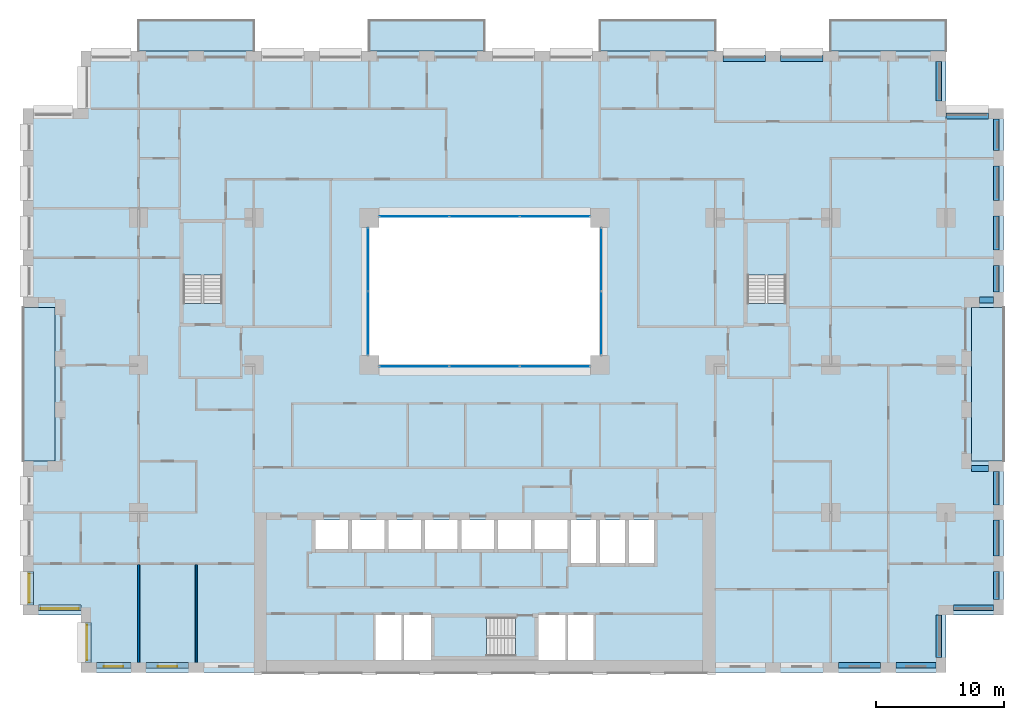
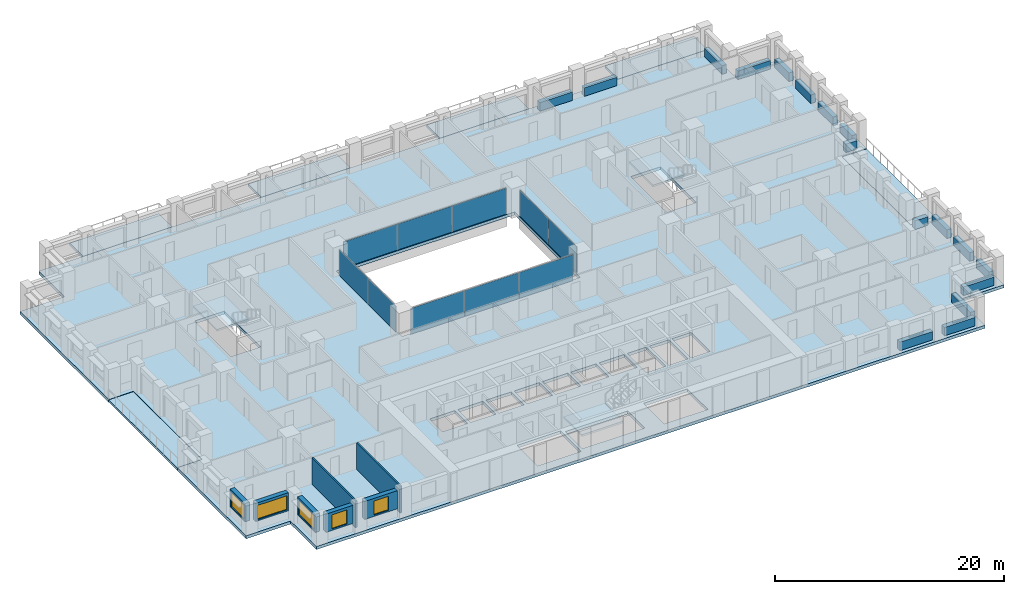
# One storey, part 8 of 21: 17 beams, 10 plates, 10 slabs, 7 walls, 5 windows, 5 openings, 7 elements without a shape of their own.
"""IFC4 building model written with IfcOpenShell, lengths in metres."""

from ifc_helpers import new_model, si_unit, direction, frame, frame_2d, origin, origin_2d, place, context, subcontext, project, spatial, polyline, rectangle, outline, extrude, material, layer, layer_set, material_profile, profile_set, type_object, element, fill, aggregate, save


model = new_model("IFC4")

# Units and contexts
model_context = context("Model", 3, precision=1e-05, world=origin(), true_north=direction((0.0, 1.0)))
body_context = subcontext(model_context, "Body", "Model", "MODEL_VIEW")
ifc_project = project(units=[si_unit("LENGTHUNIT", "METRE"), si_unit("AREAUNIT", "SQUARE_METRE"), si_unit("VOLUMEUNIT", "CUBIC_METRE"), si_unit("PLANEANGLEUNIT", "RADIAN"), si_unit("MASSUNIT", "GRAM", prefix="KILO")], contexts=[model_context])

# Site, building, storey
site_placement = place(None, origin())
site = spatial("IfcSite", under=ifc_project, at=site_placement, CompositionType="ELEMENT")
building_placement = place(site_placement, origin())
building = spatial("IfcBuilding", under=site, at=building_placement, Name="Brigalow Station Residences", CompositionType="ELEMENT")
storey_placement = place(building_placement, frame((0.0, 0.0, 51.0)))
storey = spatial("IfcBuildingStorey", under=building, at=storey_placement, Name="L14", CompositionType="ELEMENT", Elevation=51.0)

# Beams
ifc_material_1 = material(Name="Concrete C65", Category="concrete")
ifc_material_profile = material_profile(ifc_material_1, rectangle(XDim=0.449951171875, YDim=0.89990234375, at=origin_2d()), Name="RC450x900")
ifc_profile_set = profile_set([ifc_material_profile], Name="Concrete C65")
beam_type = type_object("IfcBeamType", Name="SPANDREL BEAM 450x900 C65", PredefinedType="SPANDREL", material=ifc_profile_set)
beam_1_placement = place(storey_placement, frame((63.60009765625, 0.574951171875, 0.449951171875), z_axis=(1.0, 0.0, 0.0), x_axis=(0.0, 1.0, 0.0)))
element("IfcBeam", 1, at=beam_1_placement, inside=storey, type_object=beam_type, Name="L14/spandrel/W-L14-7", PredefinedType="SPANDREL", context=body_context, shape_type="SweptSolid", body=[
    extrude(rectangle(XDim=0.449951171875, YDim=0.89990234375, at=origin_2d()), origin(), (0.0, 0.0, 1.0), 3.2998046875),
])
beam_2_placement = place(storey_placement, frame((68.10009765625, 0.574951171875, 0.449951171875), z_axis=(1.0, 0.0, 0.0), x_axis=(0.0, 1.0, 0.0)))
element("IfcBeam", 2, at=beam_2_placement, inside=storey, type_object=beam_type, Name="L14/spandrel/W-L14-8", PredefinedType="SPANDREL", context=body_context, shape_type="SweptSolid", body=[
    extrude(rectangle(XDim=0.449951171875, YDim=0.89990234375, at=origin_2d()), origin(), (0.0, 0.0, 1.0), 3.099853515625),
])
beam_3_placement = place(storey_placement, frame((71.425048828125, 1.199951171875, 0.449951171875), z_axis=(0.0, 1.0, 0.0), x_axis=(-1.0, 0.0, 0.0)))
element("IfcBeam", 3, at=beam_3_placement, inside=storey, type_object=beam_type, Name="L14/spandrel/W-L14-9", PredefinedType="SPANDREL", context=body_context, shape_type="SweptSolid", body=[
    extrude(rectangle(XDim=0.449951171875, YDim=0.89990234375, at=origin_2d()), origin(), (0.0, 0.0, 1.0), 3.300048828125),
])
beam_4_placement = place(storey_placement, frame((72.60009765625, 5.074951171875, 0.449951171875), z_axis=(1.0, 0.0, 0.0), x_axis=(0.0, 1.0, 0.0)))
element("IfcBeam", 4, at=beam_4_placement, inside=storey, type_object=beam_type, Name="L14/spandrel/W-L14-10", PredefinedType="SPANDREL", context=body_context, shape_type="SweptSolid", body=[
    extrude(rectangle(XDim=0.449951171875, YDim=0.89990234375, at=origin_2d()), origin(), (0.0, 0.0, 1.0), 3.099853515625),
])
beam_5_placement = place(storey_placement, frame((75.925048828125, 5.699951171875, 0.449951171875), z_axis=(0.0, 1.0, 0.0), x_axis=(-1.0, 0.0, 0.0)))
element("IfcBeam", 5, at=beam_5_placement, inside=storey, type_object=beam_type, Name="L14/spandrel/W-L14-11", PredefinedType="SPANDREL", context=body_context, shape_type="SweptSolid", body=[
    extrude(rectangle(XDim=0.449951171875, YDim=0.89990234375, at=origin_2d()), origin(), (0.0, 0.0, 1.0), 2.199951171875),
])
beam_6_placement = place(storey_placement, frame((75.925048828125, 9.10009765625, 0.449951171875), z_axis=(0.0, 1.0, 0.0), x_axis=(-1.0, 0.0, 0.0)))
element("IfcBeam", 6, at=beam_6_placement, inside=storey, type_object=beam_type, Name="L14/spandrel/W-L14-12", PredefinedType="SPANDREL", context=body_context, shape_type="SweptSolid", body=[
    extrude(rectangle(XDim=0.449951171875, YDim=0.89990234375, at=origin_2d()), origin(), (0.0, 0.0, 1.0), 2.7998046875),
])
beam_7_placement = place(storey_placement, frame((75.925048828125, 13.10009765625, 0.449951171875), z_axis=(0.0, 1.0, 0.0), x_axis=(-1.0, 0.0, 0.0)))
element("IfcBeam", 7, at=beam_7_placement, inside=storey, type_object=beam_type, Name="L14/spandrel/W-L14-13", PredefinedType="SPANDREL", context=body_context, shape_type="SweptSolid", body=[
    extrude(rectangle(XDim=0.449951171875, YDim=0.89990234375, at=origin_2d()), origin(), (0.0, 0.0, 1.0), 2.599853515625),
])
beam_8_placement = place(storey_placement, frame((75.300048828125, 15.925048828125, 0.449951171875), z_axis=(-1.0, 0.0, 0.0), x_axis=(0.0, -1.0, 0.0)))
element("IfcBeam", 8, at=beam_8_placement, inside=storey, type_object=beam_type, Name="L14/spandrel/W-L14-14", PredefinedType="SPANDREL", context=body_context, shape_type="SweptSolid", body=[
    extrude(rectangle(XDim=0.449951171875, YDim=0.89990234375, at=origin_2d()), origin(), (0.0, 0.0, 1.0), 1.300048828125),
])
beam_9_placement = place(storey_placement, frame((74.60009765625, 29.074951171875, 0.449951171875), z_axis=(1.0, 0.0, 0.0), x_axis=(0.0, 1.0, 0.0)))
element("IfcBeam", 9, at=beam_9_placement, inside=storey, type_object=beam_type, Name="L14/spandrel/W-L14-18", PredefinedType="SPANDREL", context=body_context, shape_type="SweptSolid", body=[
    extrude(rectangle(XDim=0.449951171875, YDim=0.89990234375, at=origin_2d()), origin(), (0.0, 0.0, 1.0), 1.099853515625),
])
beam_10_placement = place(storey_placement, frame((75.925048828125, 29.699951171875, 0.449951171875), z_axis=(0.0, 1.0, 0.0), x_axis=(-1.0, 0.0, 0.0)))
element("IfcBeam", 10, at=beam_10_placement, inside=storey, type_object=beam_type, Name="L14/spandrel/W-L14-19", PredefinedType="SPANDREL", context=body_context, shape_type="SweptSolid", body=[
    extrude(rectangle(XDim=0.449951171875, YDim=0.89990234375, at=origin_2d()), origin(), (0.0, 0.0, 1.0), 2.074951171875),
])
for number, where, z_axis, x_axis, name in (
    (11, (75.925048828125, 32.97509765625, 0.449951171875), (0.0, 1.0, 0.0), (-1.0, 0.0, 0.0), "L14/spandrel/W-L14-20"),
    (12, (75.925048828125, 36.85009765625, 0.449951171875), (0.0, 1.0, 0.0), (-1.0, 0.0, 0.0), "L14/spandrel/W-L14-21"),
):
    element("IfcBeam", number, at=place(storey_placement, frame(where, z_axis=z_axis, x_axis=x_axis)), inside=storey, type_object=beam_type, Name=name, PredefinedType="SPANDREL", context=body_context, shape_type="SweptSolid", body=[
        extrude(rectangle(XDim=0.449951171875, YDim=0.89990234375, at=origin_2d()), origin(), (0.0, 0.0, 1.0), 2.6748046875),
    ])
beam_11_placement = place(storey_placement, frame((75.925048828125, 40.72509765625, 0.449951171875), z_axis=(0.0, 1.0, 0.0), x_axis=(-1.0, 0.0, 0.0)))
element("IfcBeam", 13, at=beam_11_placement, inside=storey, type_object=beam_type, Name="L14/spandrel/W-L14-22", PredefinedType="SPANDREL", context=body_context, shape_type="SweptSolid", body=[
    extrude(rectangle(XDim=0.449951171875, YDim=0.89990234375, at=origin_2d()), origin(), (0.0, 0.0, 1.0), 2.474853515625),
])
beam_12_placement = place(storey_placement, frame((75.300048828125, 43.425048828125, 0.449951171875), z_axis=(-1.0, 0.0, 0.0), x_axis=(0.0, -1.0, 0.0)))
element("IfcBeam", 14, at=beam_12_placement, inside=storey, type_object=beam_type, Name="L14/spandrel/W-L14-23", PredefinedType="SPANDREL", context=body_context, shape_type="SweptSolid", body=[
    extrude(rectangle(XDim=0.449951171875, YDim=0.89990234375, at=origin_2d()), origin(), (0.0, 0.0, 1.0), 3.300048828125),
])
beam_13_placement = place(storey_placement, frame((71.425048828125, 44.60009765625, 0.449951171875), z_axis=(0.0, 1.0, 0.0), x_axis=(-1.0, 0.0, 0.0)))
element("IfcBeam", 15, at=beam_13_placement, inside=storey, type_object=beam_type, Name="L14/spandrel/W-L14-24", PredefinedType="SPANDREL", context=body_context, shape_type="SweptSolid", body=[
    extrude(rectangle(XDim=0.449951171875, YDim=0.89990234375, at=origin_2d()), origin(), (0.0, 0.0, 1.0), 3.099853515625),
])
for number, where, z_axis, x_axis, name in (
    (16, (62.39990234375, 47.925048828125, 0.449951171875), (-1.0, 0.0, 0.0), (0.0, -1.0, 0.0), "L14/spandrel/W-L14-27"),
    (17, (57.89990234375, 47.925048828125, 0.449951171875), (-1.0, 0.0, 0.0), (0.0, -1.0, 0.0), "L14/spandrel/W-L14-28"),
):
    element("IfcBeam", number, at=place(storey_placement, frame(where, z_axis=z_axis, x_axis=x_axis)), inside=storey, type_object=beam_type, Name=name, PredefinedType="SPANDREL", context=body_context, shape_type="SweptSolid", body=[
        extrude(rectangle(XDim=0.449951171875, YDim=0.89990234375, at=origin_2d()), origin(), (0.0, 0.0, 1.0), 3.2998046875),
    ])

# Curtain wall, plates
ifc_material_2 = material(Name="Aluminium", Category="aluminium")
ifc_layer_1 = layer(ifc_material_2, 0.14990234375)
ifc_layer_set_1 = layer_set([ifc_layer_1], Name="ATRIUM FIRE-RATED GLAZING CURTAIN WALL")
curtain_wall_type = type_object("IfcCurtainWallType", Name="ATRIUM FIRE-RATED GLAZING CURTAIN WALL", PredefinedType="NOTDEFINED", material=ifc_layer_set_1)
curtain_wall_1_placement = place(storey_placement, origin())
curtain_wall_1 = element("IfcCurtainWall", 18, at=curtain_wall_1_placement, inside=storey, type_object=curtain_wall_type, Name="L14/cw/atrium-S", PredefinedType="NOTDEFINED")
ifc_material_3 = material(Name="Fire-resisting laminated glazing, FRL -/60/-", Category="glass")
ifc_layer_2 = layer(ifc_material_3, 0.031982421875)
ifc_layer_set_2 = layer_set([ifc_layer_2], Name="ATRIUM FIRE-RATED GLAZING PANEL 32")
plate_type = type_object("IfcPlateType", Name="ATRIUM FIRE-RATED GLAZING PANEL 32", PredefinedType="CURTAIN_PANEL", material=ifc_layer_set_2)
plate_1_placement = place(storey_placement, frame((30.514892578125, 23.89990234375, 0.0), z_axis=(0.0, 0.0, 1.0), x_axis=(1.0, 0.0, 0.0)))
plate_1 = element("IfcPlate", 19, at=plate_1_placement, type_object=plate_type, Name="L14/cw/atrium-S/P00-00", PredefinedType="CURTAIN_PANEL", context=body_context, shape_type="SweptSolid", body=[
    extrude(rectangle(XDim=5.409912109375, YDim=0.031982421875, at=origin_2d()), origin(), (0.0, 0.0, 1.0), 2.77001953125),
])
plate_2_placement = place(storey_placement, frame((36.0, 23.89990234375, 0.0), z_axis=(0.0, 0.0, 1.0), x_axis=(1.0, 0.0, 0.0)))
plate_2 = element("IfcPlate", 20, at=plate_2_placement, type_object=plate_type, Name="L14/cw/atrium-S/P01-00", PredefinedType="CURTAIN_PANEL", context=body_context, shape_type="SweptSolid", body=[
    extrude(rectangle(XDim=5.43994140625, YDim=0.031982421875, at=origin_2d()), origin(), (0.0, 0.0, 1.0), 2.77001953125),
])
plate_3_placement = place(storey_placement, frame((41.485107421875, 23.89990234375, 0.0), z_axis=(0.0, 0.0, 1.0), x_axis=(1.0, 0.0, 0.0)))
plate_3 = element("IfcPlate", 21, at=plate_3_placement, type_object=plate_type, Name="L14/cw/atrium-S/P02-00", PredefinedType="CURTAIN_PANEL", context=body_context, shape_type="SweptSolid", body=[
    extrude(rectangle(XDim=5.409912109375, YDim=0.031982421875, at=origin_2d()), origin(), (0.0, 0.0, 1.0), 2.77001953125),
])
aggregate(curtain_wall_1, [plate_1, plate_2, plate_3])

curtain_wall_2_placement = place(storey_placement, origin())
curtain_wall_2 = element("IfcCurtainWall", 22, at=curtain_wall_2_placement, inside=storey, type_object=curtain_wall_type, Name="L14/cw/atrium-E", PredefinedType="NOTDEFINED")
plate_4_placement = place(storey_placement, frame((45.10009765625, 27.264892578125, 0.0), z_axis=(0.0, 0.0, 1.0), x_axis=(0.0, 1.0, 0.0)))
plate_4 = element("IfcPlate", 23, at=plate_4_placement, type_object=plate_type, Name="L14/cw/atrium-E/P00-00", PredefinedType="CURTAIN_PANEL", context=body_context, shape_type="SweptSolid", body=[
    extrude(rectangle(XDim=4.909912109375, YDim=0.031982421875, at=origin_2d()), origin(), (0.0, 0.0, 1.0), 2.77001953125),
])
plate_5_placement = place(storey_placement, frame((45.10009765625, 32.235107421875, 0.0), z_axis=(0.0, 0.0, 1.0), x_axis=(0.0, 1.0, 0.0)))
plate_5 = element("IfcPlate", 24, at=plate_5_placement, type_object=plate_type, Name="L14/cw/atrium-E/P01-00", PredefinedType="CURTAIN_PANEL", context=body_context, shape_type="SweptSolid", body=[
    extrude(rectangle(XDim=4.909912109375, YDim=0.031982421875, at=origin_2d()), origin(), (0.0, 0.0, 1.0), 2.77001953125),
])
aggregate(curtain_wall_2, [plate_4, plate_5])

curtain_wall_3_placement = place(storey_placement, origin())
curtain_wall_3 = element("IfcCurtainWall", 25, at=curtain_wall_3_placement, inside=storey, type_object=curtain_wall_type, Name="L14/cw/atrium-N", PredefinedType="NOTDEFINED")
plate_6_placement = place(storey_placement, frame((41.485107421875, 35.60009765625, 0.0), z_axis=(0.0, 0.0, 1.0), x_axis=(-1.0, 0.0, 0.0)))
plate_6 = element("IfcPlate", 26, at=plate_6_placement, type_object=plate_type, Name="L14/cw/atrium-N/P00-00", PredefinedType="CURTAIN_PANEL", context=body_context, shape_type="SweptSolid", body=[
    extrude(rectangle(XDim=5.409912109375, YDim=0.031982421875, at=origin_2d()), origin(), (0.0, 0.0, 1.0), 2.77001953125),
])
plate_7_placement = place(storey_placement, frame((36.0, 35.60009765625, 0.0), z_axis=(0.0, 0.0, 1.0), x_axis=(-1.0, 0.0, 0.0)))
plate_7 = element("IfcPlate", 27, at=plate_7_placement, type_object=plate_type, Name="L14/cw/atrium-N/P01-00", PredefinedType="CURTAIN_PANEL", context=body_context, shape_type="SweptSolid", body=[
    extrude(rectangle(XDim=5.43994140625, YDim=0.031982421875, at=origin_2d()), origin(), (0.0, 0.0, 1.0), 2.77001953125),
])
plate_8_placement = place(storey_placement, frame((30.514892578125, 35.60009765625, 0.0), z_axis=(0.0, 0.0, 1.0), x_axis=(-1.0, 0.0, 0.0)))
plate_8 = element("IfcPlate", 28, at=plate_8_placement, type_object=plate_type, Name="L14/cw/atrium-N/P02-00", PredefinedType="CURTAIN_PANEL", context=body_context, shape_type="SweptSolid", body=[
    extrude(rectangle(XDim=5.409912109375, YDim=0.031982421875, at=origin_2d()), origin(), (0.0, 0.0, 1.0), 2.77001953125),
])
aggregate(curtain_wall_3, [plate_6, plate_7, plate_8])

curtain_wall_4_placement = place(storey_placement, origin())
curtain_wall_4 = element("IfcCurtainWall", 29, at=curtain_wall_4_placement, inside=storey, type_object=curtain_wall_type, Name="L14/cw/atrium-W", PredefinedType="NOTDEFINED")
plate_9_placement = place(storey_placement, frame((26.89990234375, 32.235107421875, 0.0), z_axis=(0.0, 0.0, 1.0), x_axis=(0.0, -1.0, 0.0)))
plate_9 = element("IfcPlate", 30, at=plate_9_placement, type_object=plate_type, Name="L14/cw/atrium-W/P00-00", PredefinedType="CURTAIN_PANEL", context=body_context, shape_type="SweptSolid", body=[
    extrude(rectangle(XDim=4.909912109375, YDim=0.031982421875, at=origin_2d()), origin(), (0.0, 0.0, 1.0), 2.77001953125),
])
plate_10_placement = place(storey_placement, frame((26.89990234375, 27.264892578125, 0.0), z_axis=(0.0, 0.0, 1.0), x_axis=(0.0, -1.0, 0.0)))
plate_10 = element("IfcPlate", 31, at=plate_10_placement, type_object=plate_type, Name="L14/cw/atrium-W/P01-00", PredefinedType="CURTAIN_PANEL", context=body_context, shape_type="SweptSolid", body=[
    extrude(rectangle(XDim=4.909912109375, YDim=0.031982421875, at=origin_2d()), origin(), (0.0, 0.0, 1.0), 2.77001953125),
])
aggregate(curtain_wall_4, [plate_9, plate_10])

# Slabs
ifc_material_4 = material(Name="Concrete C50 precast", Category="concrete")
ifc_layer_3 = layer(ifc_material_4, 0.25)
ifc_layer_set_3 = layer_set([ifc_layer_3], Name="BALCONY SLAB 250")
slab_type_1 = type_object("IfcSlabType", Name="BALCONY SLAB 250", PredefinedType="USERDEFINED", material=ifc_layer_set_3)
slab_1_placement = place(storey_placement, frame((0.0, 0.0, -0.2900390625)))
element("IfcSlab", 32, at=slab_1_placement, inside=storey, type_object=slab_type_1, Name="L14/balcony/1", ObjectType="BALCONY", PredefinedType="USERDEFINED", context=body_context, shape_type="SweptSolid", body=[
    extrude(outline(polyline([(74.0, 16.5), (76.5, 16.5), (76.5, 28.5), (74.0, 28.5), (74.0, 16.5)])), origin(), (0.0, 0.0, 1.0), 0.25),
])
slab_2_placement = place(storey_placement, frame((0.0, 0.0, -0.2900390625)))
element("IfcSlab", 33, at=slab_2_placement, inside=storey, type_object=slab_type_1, Name="L14/balcony/2", ObjectType="BALCONY", PredefinedType="USERDEFINED", context=body_context, shape_type="SweptSolid", body=[
    extrude(outline(polyline([(72.0, 48.5), (72.0, 50.89990234375), (63.0, 50.89990234375), (63.0, 48.5), (72.0, 48.5)])), origin(), (0.0, 0.0, 1.0), 0.25),
])
slab_3_placement = place(storey_placement, frame((0.0, 0.0, -0.2900390625)))
element("IfcSlab", 34, at=slab_3_placement, inside=storey, type_object=slab_type_1, Name="L14/balcony/3", ObjectType="BALCONY", PredefinedType="USERDEFINED", context=body_context, shape_type="SweptSolid", body=[
    extrude(outline(polyline([(54.0, 48.5), (54.0, 50.89990234375), (45.0, 50.89990234375), (45.0, 48.5), (54.0, 48.5)])), origin(), (0.0, 0.0, 1.0), 0.25),
])
slab_4_placement = place(storey_placement, frame((0.0, 0.0, -0.2900390625)))
element("IfcSlab", 35, at=slab_4_placement, inside=storey, type_object=slab_type_1, Name="L14/balcony/4", ObjectType="BALCONY", PredefinedType="USERDEFINED", context=body_context, shape_type="SweptSolid", body=[
    extrude(outline(polyline([(36.0, 48.5), (36.0, 50.89990234375), (27.0, 50.89990234375), (27.0, 48.5), (36.0, 48.5)])), origin(), (0.0, 0.0, 1.0), 0.25),
])
slab_5_placement = place(storey_placement, frame((0.0, 0.0, -0.2900390625)))
element("IfcSlab", 36, at=slab_5_placement, inside=storey, type_object=slab_type_1, Name="L14/balcony/5", ObjectType="BALCONY", PredefinedType="USERDEFINED", context=body_context, shape_type="SweptSolid", body=[
    extrude(outline(polyline([(18.0, 48.5), (18.0, 50.89990234375), (9.0, 50.89990234375), (9.0, 48.5), (18.0, 48.5)])), origin(), (0.0, 0.0, 1.0), 0.25),
])
slab_6_placement = place(storey_placement, frame((0.0, 0.0, -0.2900390625)))
element("IfcSlab", 37, at=slab_6_placement, inside=storey, type_object=slab_type_1, Name="L14/balcony/6", ObjectType="BALCONY", PredefinedType="USERDEFINED", context=body_context, shape_type="SweptSolid", body=[
    extrude(outline(polyline([(2.5, 28.5), (0.0, 28.5), (0.0, 16.5), (2.5, 16.5), (2.5, 28.5)])), origin(), (0.0, 0.0, 1.0), 0.25),
])
ifc_material_5 = material(Name="Concrete C50", Category="concrete")
ifc_layer_4 = layer(ifc_material_5, 0.320068359375)
ifc_layer_set_4 = layer_set([ifc_layer_4], Name="POST-TENSIONED FLAT PLATE 320 C50")
slab_type_2 = type_object("IfcSlabType", Name="POST-TENSIONED FLAT PLATE 320 C50", PredefinedType="FLOOR", material=ifc_layer_set_4)
slab_7_placement = place(storey_placement, frame((0.0, 0.0, -0.320068359375)))
element("IfcSlab", 38, at=slab_7_placement, inside=storey, type_object=slab_type_2, Name="FLOOR SLAB L14", PredefinedType="FLOOR", context=body_context, shape_type="SweptSolid", body=[
    extrude(outline(polyline([(4.5, 0.0), (72.0, 0.0), (72.0, 4.5), (76.5, 4.5), (76.5, 16.5), (74.0, 16.5), (74.0, 28.5), (76.5, 28.5), (76.5, 44.0), (72.0, 44.0), (72.0, 48.5), (4.5, 48.5), (4.5, 44.0), (0.0, 44.0), (0.0, 28.5), (2.5, 28.5), (2.5, 16.5), (0.0, 16.5), (0.0, 4.5), (4.5, 4.5), (4.5, 0.0)]), holes=[polyline([(15.4951171875, 35.094970703125), (15.4951171875, 28.804931640625), (12.5048828125, 28.804931640625), (12.5048828125, 35.094970703125), (15.4951171875, 35.094970703125)]), polyline([(22.800048828125, 11.89990234375), (25.35009765625, 11.89990234375), (25.35009765625, 9.64990234375), (22.800048828125, 9.64990234375), (22.800048828125, 11.89990234375)]), polyline([(25.64990234375, 11.89990234375), (28.199951171875, 11.89990234375), (28.199951171875, 9.64990234375), (25.64990234375, 9.64990234375), (25.64990234375, 11.89990234375)]), polyline([(28.5, 11.89990234375), (31.050048828125, 11.89990234375), (31.050048828125, 9.64990234375), (28.5, 9.64990234375), (28.5, 11.89990234375)]), polyline([(29.60009765625, 1.0), (27.39990234375, 1.0), (27.39990234375, 4.60009765625), (29.60009765625, 4.60009765625), (31.800048828125, 4.60009765625), (31.800048828125, 1.0), (29.60009765625, 1.0)]), polyline([(31.35009765625, 11.89990234375), (33.89990234375, 11.89990234375), (33.89990234375, 9.64990234375), (31.35009765625, 9.64990234375), (31.35009765625, 11.89990234375)]), polyline([(32.10498046875, 4.294921875), (38.39501953125, 4.294921875), (38.39501953125, 1.304931640625), (32.10498046875, 1.304931640625), (32.10498046875, 4.294921875)]), polyline([(36.75, 11.89990234375), (36.75, 9.64990234375), (34.199951171875, 9.64990234375), (34.199951171875, 11.89990234375), (36.75, 11.89990234375)]), polyline([(37.050048828125, 11.89990234375), (39.60009765625, 11.89990234375), (39.60009765625, 9.64990234375), (37.050048828125, 9.64990234375), (37.050048828125, 11.89990234375)]), polyline([(39.89990234375, 11.89990234375), (42.449951171875, 11.89990234375), (42.449951171875, 9.64990234375), (39.89990234375, 9.64990234375), (39.89990234375, 11.89990234375)]), polyline([(42.39990234375, 1.0), (40.199951171875, 1.0), (40.199951171875, 4.60009765625), (42.39990234375, 4.60009765625), (44.60009765625, 4.60009765625), (44.60009765625, 1.0), (42.39990234375, 1.0)]), polyline([(42.75, 11.89990234375), (44.699951171875, 11.89990234375), (44.699951171875, 8.550048828125), (42.75, 8.550048828125), (42.75, 11.89990234375)]), polyline([(45.0, 11.89990234375), (46.949951171875, 11.89990234375), (46.949951171875, 8.550048828125), (45.0, 8.550048828125), (45.0, 11.89990234375)]), polyline([(45.0, 35.5), (45.0, 24.0), (27.0, 24.0), (27.0, 35.5), (45.0, 35.5)]), polyline([(47.25, 11.89990234375), (49.199951171875, 11.89990234375), (49.199951171875, 8.550048828125), (47.25, 8.550048828125), (47.25, 11.89990234375)]), polyline([(59.4951171875, 35.094970703125), (59.4951171875, 28.804931640625), (56.5048828125, 28.804931640625), (56.5048828125, 35.094970703125), (59.4951171875, 35.094970703125)])]), origin(), (0.0, 0.0, 1.0), 0.320068359375),
])

# Stair, slab
ifc_material_6 = material(Name="Concrete C50", Category="concrete")
stair_type = type_object("IfcStairType", Name="EXIT STAIR 1400 2 FLIGHT", PredefinedType="HALF_TURN_STAIR", material=ifc_material_6)
stair_1_placement = place(storey_placement, origin())
stair_1 = element("IfcStair", 39, at=stair_1_placement, inside=storey, type_object=stair_type, Name="EXIT STAIR S2 L14", PredefinedType="HALF_TURN_STAIR")
ifc_material_7 = material(Name="Concrete C50", Category="concrete")
ifc_layer_5 = layer(ifc_material_7, 0.199951171875)
ifc_layer_set_5 = layer_set([ifc_layer_5], Name="STAIR LANDING 200")
slab_type_3 = type_object("IfcSlabType", Name="STAIR LANDING 200", PredefinedType="LANDING", material=ifc_layer_set_5)
slab_8_placement = place(storey_placement, frame((0.0, 0.0, 1.375)))
slab_8 = element("IfcSlab", 40, at=slab_8_placement, type_object=slab_type_3, Name="ST-2 landing 1", PredefinedType="LANDING", context=body_context, shape_type="SweptSolid", body=[
    extrude(outline(polyline([(32.0, 1.199951171875), (36.159912109375, 1.199951171875), (36.159912109375, 4.39990234375), (32.0, 4.39990234375), (32.0, 1.199951171875)])), origin(), (0.0, 0.0, 1.0), 0.199951171875),
])
aggregate(stair_1, [slab_8])

stair_2_placement = place(storey_placement, origin())
stair_2 = element("IfcStair", 41, at=stair_2_placement, inside=storey, type_object=stair_type, Name="EXIT STAIR S1 L14", PredefinedType="HALF_TURN_STAIR")
slab_9_placement = place(storey_placement, frame((0.0, 0.0, 1.375)))
slab_9 = element("IfcSlab", 42, at=slab_9_placement, type_object=slab_type_3, Name="ST-1 landing 1", PredefinedType="LANDING", context=body_context, shape_type="SweptSolid", body=[
    extrude(outline(polyline([(12.39990234375, 31.0400390625), (15.60009765625, 31.0400390625), (15.60009765625, 35.199951171875), (12.39990234375, 35.199951171875), (12.39990234375, 31.0400390625)])), origin(), (0.0, 0.0, 1.0), 0.199951171875),
])
aggregate(stair_2, [slab_9])

stair_3_placement = place(storey_placement, origin())
stair_3 = element("IfcStair", 43, at=stair_3_placement, inside=storey, type_object=stair_type, Name="EXIT STAIR S3 L14", PredefinedType="HALF_TURN_STAIR")
slab_10_placement = place(storey_placement, frame((0.0, 0.0, 1.375)))
slab_10 = element("IfcSlab", 44, at=slab_10_placement, type_object=slab_type_3, Name="ST-3 landing 1", PredefinedType="LANDING", context=body_context, shape_type="SweptSolid", body=[
    extrude(outline(polyline([(56.39990234375, 31.0400390625), (59.60009765625, 31.0400390625), (59.60009765625, 35.199951171875), (56.39990234375, 35.199951171875), (56.39990234375, 31.0400390625)])), origin(), (0.0, 0.0, 1.0), 0.199951171875),
])
aggregate(stair_3, [slab_10])

# Wall, opening, window
ifc_material_8 = material(Name="Clay brick masonry", Category="masonry")
ifc_layer_6 = layer(ifc_material_8, 0.449951171875)
ifc_layer_set_6 = layer_set([ifc_layer_6], Name="BRICK INFILL WALL 450")
wall_type_1 = type_object("IfcWallType", Name="BRICK INFILL WALL 450", PredefinedType="SOLIDWALL", material=ifc_layer_set_6)
wall_1_placement = place(storey_placement, frame((5.699951171875, 0.574951171875, 0.89990234375), z_axis=(0.0, 0.0, 1.0), x_axis=(1.0, 0.0, 0.0)))
wall_1 = element("IfcWall", 45, at=wall_1_placement, inside=storey, type_object=wall_type_1, Name="L14/ewall/W-L14-1", PredefinedType="SOLIDWALL", context=body_context, shape_type="SweptSolid", body=[
    extrude(rectangle(XDim=2.699951171875, YDim=0.449951171875, at=frame_2d((1.35009765625, 0.0))), origin(), (0.0, 0.0, 1.0), 1.93017578125),
])
opening_1_placement = place(wall_1_placement, frame((0.60009765625, 0.0, 0.14990234375)))
opening_1 = element("IfcOpeningElement", 46, at=opening_1_placement, cuts=wall_1, Name="Opening WT-1", PredefinedType="OPENING", context=body_context, shape_type="SweptSolid", body=[
    extrude(rectangle(XDim=1.5, YDim=1.5, at=frame_2d((0.75, 0.75))), frame((0.0, 0.23486328125, 0.0), z_axis=(0.0, -1.0, 0.0), x_axis=(1.0, 0.0, 0.0)), (0.0, 0.0, 1.0), 0.469970703125),
])
ifc_material_9 = material(Name="Anodised aluminium frame with double glazing", Category="aluminium")
window_type_1 = type_object("IfcWindowType", Name="WINDOW 1500x1500", PartitioningType="SINGLE_PANEL", PredefinedType="WINDOW", material=ifc_material_9)
window_1_placement = place(opening_1_placement, origin())
window_1 = element("IfcWindow", 47, at=window_1_placement, inside=storey, type_object=window_type_1, Name="L14/window/W-L14-1", OverallHeight=1.5, OverallWidth=1.5, PartitioningType="SINGLE_PANEL", PredefinedType="WINDOW", context=body_context, shape_type="SweptSolid", body=[
    extrude(rectangle(XDim=1.5, YDim=1.5, at=frame_2d((0.75, 0.75))), frame((0.0, -0.06494140625, 0.0), z_axis=(0.0, -1.0, 0.0), x_axis=(1.0, 0.0, 0.0)), (0.0, 0.0, 1.0), 0.06005859375),
])
fill(opening_1, window_1)

wall_2_placement = place(storey_placement, frame((9.60009765625, 0.574951171875, 0.89990234375), z_axis=(0.0, 0.0, 1.0), x_axis=(1.0, 0.0, 0.0)))
wall_2 = element("IfcWall", 48, at=wall_2_placement, inside=storey, type_object=wall_type_1, Name="L14/ewall/W-L14-2", PredefinedType="SOLIDWALL", context=body_context, shape_type="SweptSolid", body=[
    extrude(rectangle(XDim=3.2998046875, YDim=0.449951171875, at=frame_2d((1.64990234375, 0.0))), origin(), (0.0, 0.0, 1.0), 1.93017578125),
])
opening_2_placement = place(wall_2_placement, frame((0.89990234375, 0.0, 0.14990234375)))
opening_2 = element("IfcOpeningElement", 49, at=opening_2_placement, cuts=wall_2, Name="Opening WT-1", PredefinedType="OPENING", context=body_context, shape_type="SweptSolid", body=[
    extrude(rectangle(XDim=1.5, YDim=1.5, at=frame_2d((0.75, 0.75))), frame((0.0, 0.23486328125, 0.0), z_axis=(0.0, -1.0, 0.0), x_axis=(1.0, 0.0, 0.0)), (0.0, 0.0, 1.0), 0.469970703125),
])
window_2_placement = place(opening_2_placement, origin())
window_2 = element("IfcWindow", 50, at=window_2_placement, inside=storey, type_object=window_type_1, Name="L14/window/W-L14-2", OverallHeight=1.5, OverallWidth=1.5, PartitioningType="SINGLE_PANEL", PredefinedType="WINDOW", context=body_context, shape_type="SweptSolid", body=[
    extrude(rectangle(XDim=1.5, YDim=1.5, at=frame_2d((0.75, 0.75))), frame((0.0, -0.06494140625, 0.0), z_axis=(0.0, -1.0, 0.0), x_axis=(1.0, 0.0, 0.0)), (0.0, 0.0, 1.0), 0.06005859375),
])
fill(opening_2, window_2)

wall_3_placement = place(storey_placement, frame((0.574951171875, 7.89990234375, 0.89990234375), z_axis=(0.0, 0.0, 1.0), x_axis=(0.0, -1.0, 0.0)))
wall_3 = element("IfcWall", 51, at=wall_3_placement, inside=storey, type_object=wall_type_1, Name="L14/ewall/W-L14-53", PredefinedType="SOLIDWALL", context=body_context, shape_type="SweptSolid", body=[
    extrude(rectangle(XDim=2.599853515625, YDim=0.449951171875, at=frame_2d((1.2998046875, 0.0))), origin(), (0.0, 0.0, 1.0), 1.93017578125),
])
opening_3_placement = place(wall_3_placement, frame((0.175048828125, 0.0, 0.14990234375)))
opening_3 = element("IfcOpeningElement", 52, at=opening_3_placement, cuts=wall_3, Name="Opening WT-6", PredefinedType="OPENING", context=body_context, shape_type="SweptSolid", body=[
    extrude(rectangle(XDim=2.25, YDim=1.5, at=frame_2d((1.125, 0.75))), frame((0.0, 0.23486328125, 0.0), z_axis=(0.0, -1.0, 0.0), x_axis=(1.0, 0.0, 0.0)), (0.0, 0.0, 1.0), 0.469970703125),
])
ifc_material_10 = material(Name="Anodised aluminium frame with double glazing", Category="aluminium")
window_type_2 = type_object("IfcWindowType", Name="WINDOW 2250x1500", PartitioningType="SINGLE_PANEL", PredefinedType="WINDOW", material=ifc_material_10)
window_3_placement = place(opening_3_placement, origin())
window_3 = element("IfcWindow", 53, at=window_3_placement, inside=storey, type_object=window_type_2, Name="L14/window/W-L14-53", OverallHeight=1.5, OverallWidth=2.25, PartitioningType="SINGLE_PANEL", PredefinedType="WINDOW", context=body_context, shape_type="SweptSolid", body=[
    extrude(rectangle(XDim=2.25, YDim=1.5, at=frame_2d((1.125, 0.75))), frame((0.0, -0.06494140625, 0.0), z_axis=(0.0, -1.0, 0.0), x_axis=(1.0, 0.0, 0.0)), (0.0, 0.0, 1.0), 0.06005859375),
])
fill(opening_3, window_3)

wall_4_placement = place(storey_placement, frame((1.199951171875, 5.074951171875, 0.89990234375), z_axis=(0.0, 0.0, 1.0), x_axis=(1.0, 0.0, 0.0)))
wall_4 = element("IfcWall", 54, at=wall_4_placement, inside=storey, type_object=wall_type_1, Name="L14/ewall/W-L14-54", PredefinedType="SOLIDWALL", context=body_context, shape_type="SweptSolid", body=[
    extrude(rectangle(XDim=3.300048828125, YDim=0.449951171875, at=frame_2d((1.64990234375, 0.0))), origin(), (0.0, 0.0, 1.0), 1.93017578125),
])
opening_4_placement = place(wall_4_placement, frame((0.14990234375, 0.0, 0.14990234375)))
opening_4 = element("IfcOpeningElement", 55, at=opening_4_placement, cuts=wall_4, Name="Opening WT-2", PredefinedType="OPENING", context=body_context, shape_type="SweptSolid", body=[
    extrude(rectangle(XDim=3.0, YDim=1.5, at=frame_2d((1.5, 0.75))), frame((0.0, 0.23486328125, 0.0), z_axis=(0.0, -1.0, 0.0), x_axis=(1.0, 0.0, 0.0)), (0.0, 0.0, 1.0), 0.469970703125),
])
ifc_material_11 = material(Name="Anodised aluminium frame with double glazing", Category="aluminium")
window_type_3 = type_object("IfcWindowType", Name="WINDOW 3000x1500", PartitioningType="SINGLE_PANEL", PredefinedType="WINDOW", material=ifc_material_11)
window_4_placement = place(opening_4_placement, origin())
window_4 = element("IfcWindow", 56, at=window_4_placement, inside=storey, type_object=window_type_3, Name="L14/window/W-L14-54", OverallHeight=1.5, OverallWidth=3.0, PartitioningType="SINGLE_PANEL", PredefinedType="WINDOW", context=body_context, shape_type="SweptSolid", body=[
    extrude(rectangle(XDim=3.0, YDim=1.5, at=frame_2d((1.5, 0.75))), frame((0.0, -0.06494140625, 0.0), z_axis=(0.0, -1.0, 0.0), x_axis=(1.0, 0.0, 0.0)), (0.0, 0.0, 1.0), 0.06005859375),
])
fill(opening_4, window_4)

wall_5_placement = place(storey_placement, frame((5.074951171875, 3.89990234375, 0.89990234375), z_axis=(0.0, 0.0, 1.0), x_axis=(0.0, -1.0, 0.0)))
wall_5 = element("IfcWall", 57, at=wall_5_placement, inside=storey, type_object=wall_type_1, Name="L14/ewall/W-L14-55", PredefinedType="SOLIDWALL", context=body_context, shape_type="SweptSolid", body=[
    extrude(rectangle(XDim=3.099853515625, YDim=0.449951171875, at=frame_2d((1.5498046875, 0.0))), origin(), (0.0, 0.0, 1.0), 1.93017578125),
])
opening_5_placement = place(wall_5_placement, frame((0.175048828125, 0.0, 0.14990234375)))
opening_5 = element("IfcOpeningElement", 58, at=opening_5_placement, cuts=wall_5, Name="Opening WT-3", PredefinedType="OPENING", context=body_context, shape_type="SweptSolid", body=[
    extrude(rectangle(XDim=2.75, YDim=1.5, at=frame_2d((1.375, 0.75))), frame((0.0, 0.23486328125, 0.0), z_axis=(0.0, -1.0, 0.0), x_axis=(1.0, 0.0, 0.0)), (0.0, 0.0, 1.0), 0.469970703125),
])
ifc_material_12 = material(Name="Anodised aluminium frame with double glazing", Category="aluminium")
window_type_4 = type_object("IfcWindowType", Name="WINDOW 2750x1500", PartitioningType="SINGLE_PANEL", PredefinedType="WINDOW", material=ifc_material_12)
window_5_placement = place(opening_5_placement, origin())
window_5 = element("IfcWindow", 59, at=window_5_placement, inside=storey, type_object=window_type_4, Name="L14/window/W-L14-55", OverallHeight=1.5, OverallWidth=2.75, PartitioningType="SINGLE_PANEL", PredefinedType="WINDOW", context=body_context, shape_type="SweptSolid", body=[
    extrude(rectangle(XDim=2.75, YDim=1.5, at=frame_2d((1.375, 0.75))), frame((0.0, -0.06494140625, 0.0), z_axis=(0.0, -1.0, 0.0), x_axis=(1.0, 0.0, 0.0)), (0.0, 0.0, 1.0), 0.06005859375),
])
fill(opening_5, window_5)

# Walls
ifc_material_13 = material(Name="Plasterboard on steel stud partition", Category="steel")
ifc_layer_7 = layer(ifc_material_13, 0.14990234375)
ifc_layer_set_7 = layer_set([ifc_layer_7], Name="FLAT PARTITION 150")
wall_type_2 = type_object("IfcWallType", Name="FLAT PARTITION 150", PredefinedType="PARTITIONING", material=ifc_layer_set_7)
for number, where, z_axis, x_axis, name in (
    (60, (9.0, 0.800048828125, 0.0), (0.0, 0.0, 1.0), (0.0, 1.0, 0.0), "PW-1D46"),
    (61, (13.5, 0.800048828125, 0.0), (0.0, 0.0, 1.0), (0.0, 1.0, 0.0), "PW-1D52"),
):
    element("IfcWall", number, at=place(storey_placement, frame(where, z_axis=z_axis, x_axis=x_axis)), inside=storey, type_object=wall_type_2, Name=name, PredefinedType="PARTITIONING", context=body_context, shape_type="SweptSolid", body=[
        extrude(rectangle(XDim=7.625, YDim=0.14990234375, at=frame_2d((3.8125, 0.0))), origin(), (0.0, 0.0, 1.0), 2.830078125),
    ])

save(model, "model.ifc")
